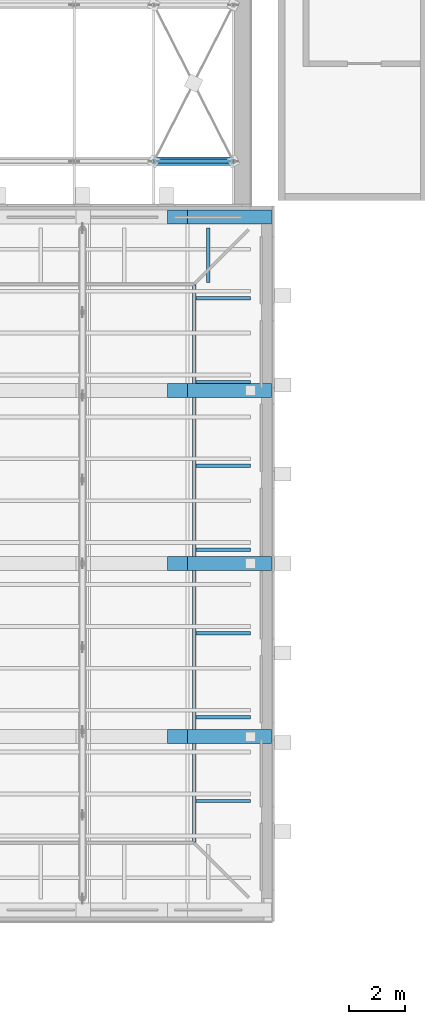
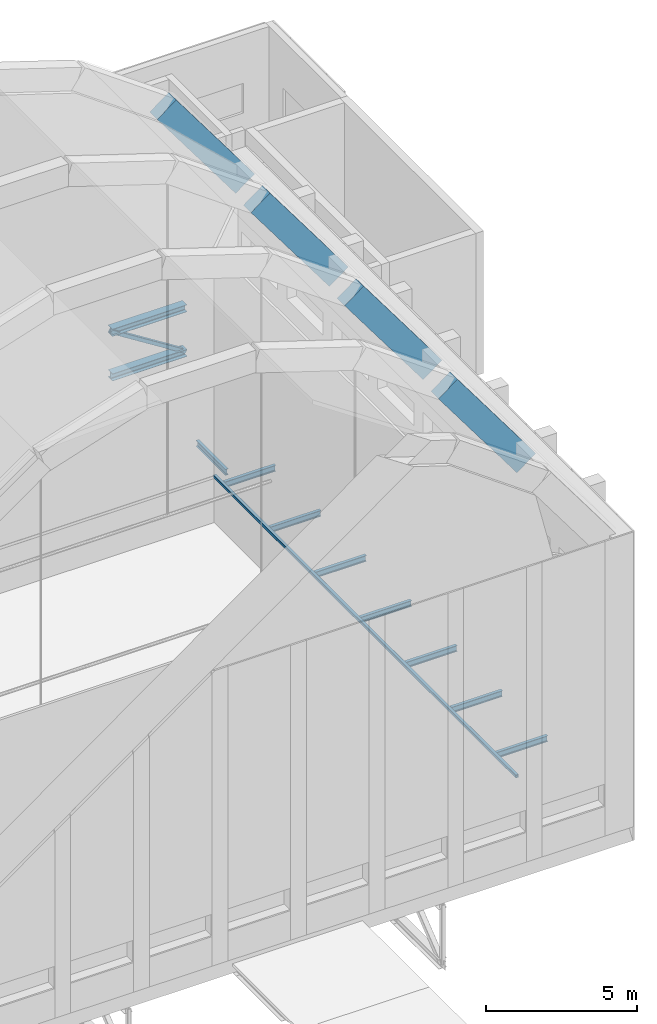
# One storey, part 40 of 55: 12 members, 4 beams.
"""IFC4 building model written with IfcOpenShell, lengths in metres."""

from ifc_helpers import new_model, si_unit, direction, frame, origin, origin_2d, place, context, subcontext, project, spatial, rectangle, hollow_rectangle, i_section, extrude, material, material_profile, profile_set, type_object, element, save


model = new_model("IFC4")

# Units and contexts
model_context = context("Model", 3, precision=1e-05, world=origin(), true_north=direction((0.0, 1.0)))
body_context = subcontext(model_context, "Body", "Model", "MODEL_VIEW")
ifc_project = project(units=[si_unit("LENGTHUNIT", "METRE"), si_unit("AREAUNIT", "SQUARE_METRE"), si_unit("VOLUMEUNIT", "CUBIC_METRE"), si_unit("PLANEANGLEUNIT", "RADIAN"), si_unit("MASSUNIT", "GRAM", prefix="KILO")], contexts=[model_context])

# Site, building, storey
site_placement = place(None, origin())
site = spatial("IfcSite", under=ifc_project, at=site_placement, CompositionType="ELEMENT")
building_placement = place(site_placement, origin())
building = spatial("IfcBuilding", under=site, at=building_placement, Name="Lunette Opera House", CompositionType="ELEMENT")
storey_placement = place(building_placement, frame((0.0, 0.0, 34.0)))
storey = spatial("IfcBuildingStorey", under=building, at=storey_placement, Name="L06", CompositionType="ELEMENT", Elevation=34.0)

# Beams
ifc_material_1 = material(Name="Concrete C40/50", Category="concrete")
ifc_material_profile_1 = material_profile(ifc_material_1, rectangle(XDim=0.5, YDim=0.89990234375, at=origin_2d()), Name="ARCH BEAM 500X900")
ifc_profile_set_1 = profile_set([ifc_material_profile_1], Name="Concrete C40/50")
beam_type = type_object("IfcBeamType", Name="ARCH BEAM 500X900", PredefinedType="BEAM", material=ifc_profile_set_1)
for number, where, z_axis, x_axis, name in (
    (1, (105.406005859375, 101.800048828125, 15.56298828125), (0.595879274634, 0.0, -0.803074025269), (0.0, 1.0, 0.0), "beam-ST-L06-EAT2-7"),
    (2, (105.406005859375, 108.0, 15.56298828125), (0.595879274634, 0.0, -0.803074025269), (0.0, 1.0, 0.0), "beam-ST-L06-EAT3-7"),
    (3, (105.406005859375, 114.199951171875, 15.56298828125), (0.595879274634, 0.0, -0.803074025269), (0.0, 1.0, 0.0), "beam-ST-L06-EAT4-7"),
    (4, (105.406005859375, 120.39990234375, 15.56298828125), (0.595879274634, 0.0, -0.803074025269), (0.0, 1.0, 0.0), "beam-ST-L06-EAT5-7"),
):
    element("IfcBeam", number, at=place(storey_placement, frame(where, z_axis=z_axis, x_axis=x_axis)), inside=storey, type_object=beam_type, Name=name, PredefinedType="BEAM", context=body_context, shape_type="SweptSolid", body=[
        extrude(rectangle(XDim=0.5, YDim=0.89990234375, at=origin_2d()), origin(), (0.0, 0.0, 1.0), 5.0244140625),
    ])

# Members
ifc_material_2 = material(Name="Steel S355", Category="steel")
ifc_material_profile_2 = material_profile(ifc_material_2, i_section(OverallWidth=0.1201171875, OverallDepth=0.239990234375, WebThickness=0.006103515625, FlangeThickness=0.009765625, FilletRadius=0.014892578125, at=origin_2d()), Name="IPE 240")
ifc_profile_set_2 = profile_set([ifc_material_profile_2], Name="Steel S355")
member_type_1 = type_object("IfcMemberType", Name="BRACKET IPE 240", PredefinedType="MEMBER", material=ifc_profile_set_2)
for number, where, z_axis, x_axis, name in (
    (5, (106.5, 120.010009765625, 1.820068359375), (0.0, -1.0, 0.0), (1.0, 0.0, 0.0), "mem-ST-L06-LOFT-BKN1065-1200"),
    (6, (108.010009765625, 99.5, 1.820068359375), (-1.0, 0.0, 0.0), (0.0, -1.0, 0.0), "mem-ST-L06-LOFT-BKE1080-995"),
    (7, (108.010009765625, 102.5, 1.820068359375), (-1.0, 0.0, 0.0), (0.0, -1.0, 0.0), "mem-ST-L06-LOFT-BKE1080-1025"),
    (8, (108.010009765625, 105.5, 1.820068359375), (-1.0, 0.0, 0.0), (0.0, -1.0, 0.0), "mem-ST-L06-LOFT-BKE1080-1055"),
    (9, (108.010009765625, 108.5, 1.820068359375), (-1.0, 0.0, 0.0), (0.0, -1.0, 0.0), "mem-ST-L06-LOFT-BKE1080-1085"),
    (10, (108.010009765625, 111.5, 1.820068359375), (-1.0, 0.0, 0.0), (0.0, -1.0, 0.0), "mem-ST-L06-LOFT-BKE1080-1115"),
    (11, (108.010009765625, 114.5, 1.820068359375), (-1.0, 0.0, 0.0), (0.0, -1.0, 0.0), "mem-ST-L06-LOFT-BKE1080-1145"),
    (12, (108.010009765625, 117.5, 1.820068359375), (-1.0, 0.0, 0.0), (0.0, -1.0, 0.0), "mem-ST-L06-LOFT-BKE1080-1175"),
):
    element("IfcMember", number, at=place(storey_placement, frame(where, z_axis=z_axis, x_axis=x_axis)), inside=storey, type_object=member_type_1, Name=name, PredefinedType="MEMBER", context=body_context, shape_type="SweptSolid", body=[
        extrude(i_section(OverallWidth=0.1201171875, OverallDepth=0.239990234375, WebThickness=0.006103515625, FlangeThickness=0.009765625, FilletRadius=0.014892578125, at=origin_2d()), origin(), (0.0, 0.0, 1.0), 1.949951171875),
    ])
ifc_material_3 = material(Name="Steel S355", Category="steel")
ifc_material_profile_3 = material_profile(ifc_material_3, i_section(OverallWidth=0.300048828125, OverallDepth=0.2900390625, WebThickness=0.008544921875, FlangeThickness=0.013916015625, FilletRadius=0.027099609375, at=origin_2d()), Name="HEA 300")
ifc_profile_set_3 = profile_set([ifc_material_profile_3], Name="Steel S355")
member_type_2 = type_object("IfcMemberType", Name="CHORD HEA 300", PredefinedType="CHORD", material=ifc_profile_set_3)
for number, where, z_axis, x_axis, name in (
    (13, (104.550048828125, 122.39990234375, 5.574951171875), (1.0, 0.0, 0.0), (0.0, 1.0, 0.0), "mem-ST-L06-SR-TR01-TC8"),
    (14, (104.550048828125, 122.39990234375, 3.77490234375), (1.0, 0.0, 0.0), (0.0, 1.0, 0.0), "mem-ST-L06-SR-TR01-BC8"),
):
    element("IfcMember", number, at=place(storey_placement, frame(where, z_axis=z_axis, x_axis=x_axis)), inside=storey, type_object=member_type_2, Name=name, PredefinedType="CHORD", context=body_context, shape_type="SweptSolid", body=[
        extrude(i_section(OverallWidth=0.300048828125, OverallDepth=0.2900390625, WebThickness=0.008544921875, FlangeThickness=0.013916015625, FilletRadius=0.027099609375, at=origin_2d()), origin(), (0.0, 0.0, 1.0), 2.849853515625),
    ])
ifc_material_4 = material(Name="Steel S355", Category="steel")
ifc_material_profile_4 = material_profile(ifc_material_4, hollow_rectangle(XDim=0.14990234375, YDim=0.14990234375, WallThickness=0.006103515625, InnerFilletRadius=0.006103515625, OuterFilletRadius=0.011962890625, at=origin_2d()), Name="RHS 150X150X6")
ifc_profile_set_4 = profile_set([ifc_material_profile_4], Name="Steel S355")
member_type_3 = type_object("IfcMemberType", Name="DIAGONAL RHS 150X150X6", PredefinedType="BRACE", material=ifc_profile_set_4)
member_1_placement = place(storey_placement, frame((104.550048828125, 122.39990234375, 5.574951171875), z_axis=(0.845469970423, 0.0, -0.53402296684), x_axis=(0.0, 1.0, 0.0)))
element("IfcMember", 15, at=member_1_placement, inside=storey, type_object=member_type_3, Name="mem-ST-L06-SR-TR01-TD8", PredefinedType="BRACE", context=body_context, shape_type="SweptSolid", body=[
    extrude(hollow_rectangle(XDim=0.14990234375, YDim=0.14990234375, WallThickness=0.006103515625, InnerFilletRadius=0.006103515625, OuterFilletRadius=0.011962890625, at=origin_2d()), origin(), (0.0, 0.0, 1.0), 3.370849609375),
])
ifc_material_5 = material(Name="Steel S355", Category="steel")
ifc_material_profile_5 = material_profile(ifc_material_5, hollow_rectangle(XDim=0.1201171875, YDim=0.1201171875, WallThickness=0.006103515625, InnerFilletRadius=0.006103515625, OuterFilletRadius=0.011962890625, at=origin_2d()), Name="RHS 120X120X6")
ifc_profile_set_5 = profile_set([ifc_material_profile_5], Name="Steel S355")
member_type_4 = type_object("IfcMemberType", Name="EDGE RHS 120X120X6", PredefinedType="MEMBER", material=ifc_profile_set_5)
member_2_placement = place(storey_placement, frame((106.0, 98.0, 1.8798828125), z_axis=(0.0, 1.0, 0.0), x_axis=(-1.0, 0.0, 0.0)))
element("IfcMember", 16, at=member_2_placement, inside=storey, type_object=member_type_4, Name="mem-ST-L06-LOFT-EDE", PredefinedType="MEMBER", context=body_context, shape_type="SweptSolid", body=[
    extrude(hollow_rectangle(XDim=0.1201171875, YDim=0.1201171875, WallThickness=0.006103515625, InnerFilletRadius=0.006103515625, OuterFilletRadius=0.011962890625, at=origin_2d()), origin(), (0.0, 0.0, 1.0), 20.0),
])

save(model, "model.ifc")
